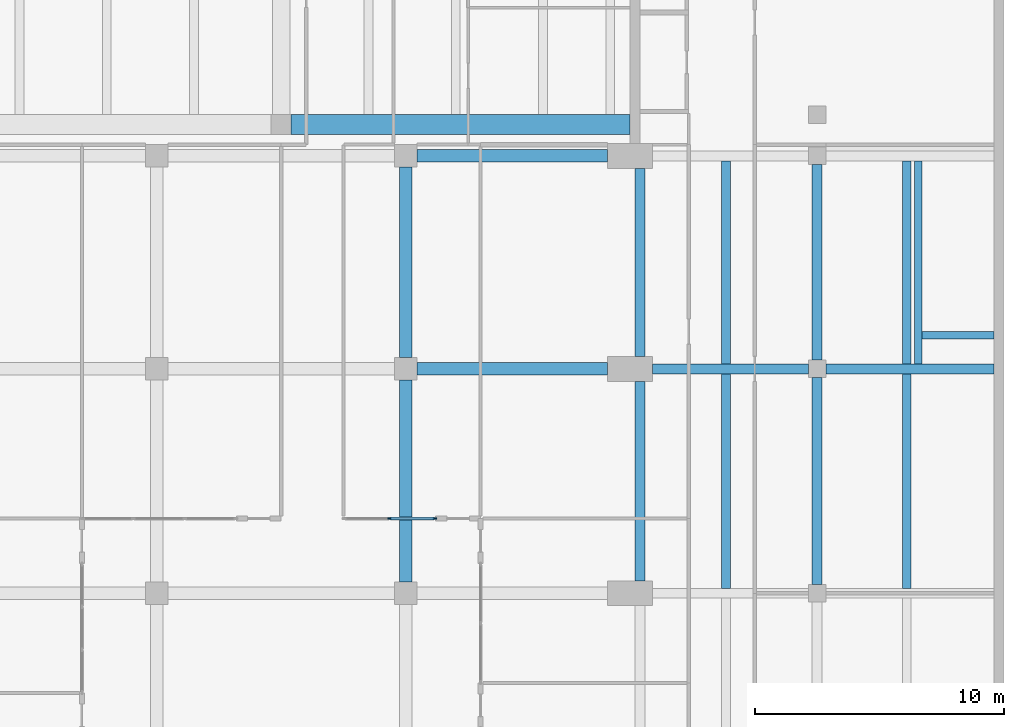
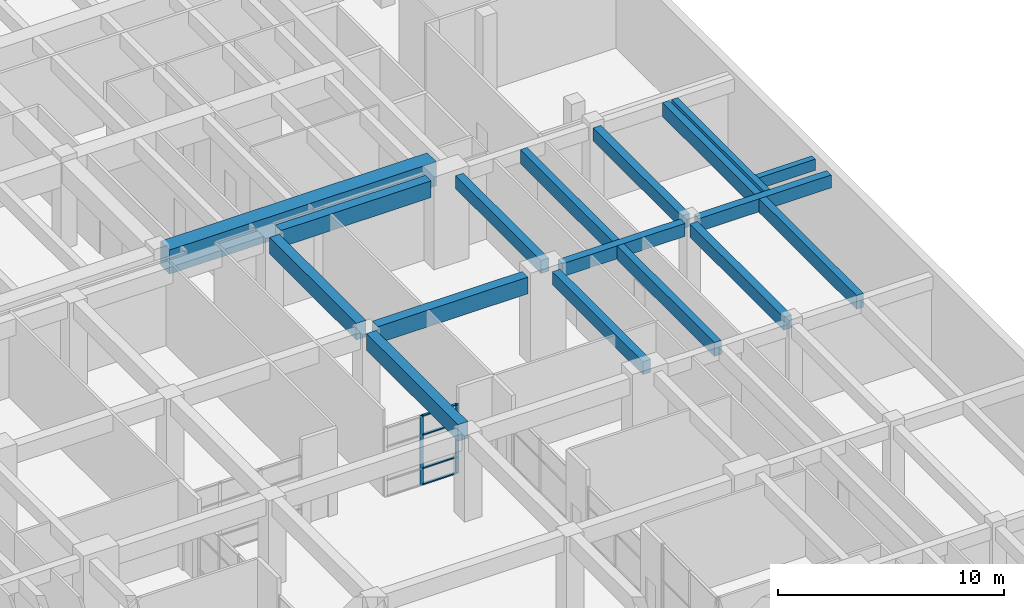
# One storey, part 13 of 29: 17 beams, 6 members, 1 element without a shape of its own.
"""IFC4 building model written with IfcOpenShell, lengths in metres."""

from ifc_helpers import new_model, si_unit, direction, frame, origin, origin_2d, place, context, subcontext, project, spatial, rectangle, extrude, material, material_profile, profile_set, type_object, element, aggregate, save


model = new_model("IFC4")

# Units and contexts
model_context = context("Model", 3, precision=1e-05, world=origin(), true_north=direction((0.0, 1.0)))
body_context = subcontext(model_context, "Body", "Model", "MODEL_VIEW")
ifc_project = project(units=[si_unit("LENGTHUNIT", "METRE"), si_unit("AREAUNIT", "SQUARE_METRE"), si_unit("VOLUMEUNIT", "CUBIC_METRE"), si_unit("PLANEANGLEUNIT", "RADIAN"), si_unit("MASSUNIT", "GRAM", prefix="KILO")], contexts=[model_context])

# Site, building, storey
site_placement = place(None, origin())
site = spatial("IfcSite", under=ifc_project, at=site_placement, CompositionType="ELEMENT")
building_placement = place(site_placement, origin())
building = spatial("IfcBuilding", under=site, at=building_placement, Name="Elmora Arch Market Hall", CompositionType="ELEMENT")
storey_placement = place(building_placement, frame((0.0, 0.0, -5.0)))
storey = spatial("IfcBuildingStorey", under=building, at=storey_placement, Name="LG", CompositionType="ELEMENT", Elevation=-5.0)

# Beams
ifc_material_1 = material(Name="Concrete C32/40", Category="concrete")
ifc_material_profile_1 = material_profile(ifc_material_1, rectangle(XDim=0.5, YDim=0.89990234375, at=origin_2d()), Name="Basement girder 500x900")
ifc_profile_set_1 = profile_set([ifc_material_profile_1], Name="Concrete C32/40")
beam_type_1 = type_object("IfcBeamType", Name="Basement girder 500x900", PredefinedType="BEAM", material=ifc_profile_set_1)
for number, where, z_axis, x_axis, name in (
    (1, (34.449951171875, 90.0, 4.199951171875), (1.0, 0.0, 0.0), (0.0, 1.0, 0.0), "Basement girder HR8 LG.3"),
    (2, (34.449951171875, 98.550048828125, 4.199951171875), (1.0, 0.0, 0.0), (0.0, 1.0, 0.0), "Basement girder HR9 LG.3"),
):
    element("IfcBeam", number, at=place(storey_placement, frame(where, z_axis=z_axis, x_axis=x_axis)), inside=storey, type_object=beam_type_1, Name=name, PredefinedType="BEAM", context=body_context, shape_type="SweptSolid", body=[
        extrude(rectangle(XDim=0.5, YDim=0.89990234375, at=origin_2d()), origin(), (0.0, 0.0, 1.0), 7.650146484375),
    ])
beam_1_placement = place(storey_placement, frame((34.0, 81.449951171875, 4.199951171875), z_axis=(0.0, 1.0, 0.0), x_axis=(-1.0, 0.0, 0.0)))
element("IfcBeam", 3, at=beam_1_placement, inside=storey, type_object=beam_type_1, Name="Basement girder HC2 LG.7", PredefinedType="BEAM", context=body_context, shape_type="SweptSolid", body=[
    extrude(rectangle(XDim=0.5, YDim=0.89990234375, at=origin_2d()), origin(), (0.0, 0.0, 1.0), 8.10009765625),
])
beam_2_placement = place(storey_placement, frame((34.0, 90.449951171875, 4.199951171875), z_axis=(0.0, 1.0, 0.0), x_axis=(-1.0, 0.0, 0.0)))
element("IfcBeam", 4, at=beam_2_placement, inside=storey, type_object=beam_type_1, Name="Basement girder HC2 LG.8", PredefinedType="BEAM", context=body_context, shape_type="SweptSolid", body=[
    extrude(rectangle(XDim=0.5, YDim=0.89990234375, at=origin_2d()), origin(), (0.0, 0.0, 1.0), 7.650146484375),
])
ifc_material_2 = material(Name="Concrete C32/40", Category="concrete")
ifc_material_profile_2 = material_profile(ifc_material_2, rectangle(XDim=0.800048828125, YDim=1.300048828125, at=origin_2d()), Name="Bridge girder 800x1300")
ifc_profile_set_2 = profile_set([ifc_material_profile_2], Name="Concrete C32/40")
beam_type_2 = type_object("IfcBeamType", Name="Bridge girder 800x1300", PredefinedType="BEAM", material=ifc_profile_set_2)
beam_3_placement = place(storey_placement, frame((29.39990234375, 99.800048828125, 4.050048828125), z_axis=(1.0, 0.0, 0.0), x_axis=(0.0, 1.0, 0.0)))
element("IfcBeam", 5, at=beam_3_placement, inside=storey, type_object=beam_type_2, Name="Bridge girder NR1 LG.2", PredefinedType="BEAM", context=body_context, shape_type="SweptSolid", body=[
    extrude(rectangle(XDim=0.800048828125, YDim=1.300048828125, at=origin_2d()), origin(), (0.0, 0.0, 1.0), 13.60009765625),
])

# Curtain wall, members
ifc_material_3 = material(Name="Aluminium", Category="aluminium")
curtain_wall_type = type_object("IfcCurtainWallType", Name="Lower ground shopfront curtain wall", PredefinedType="NOTDEFINED", material=ifc_material_3)
curtain_wall_placement = place(storey_placement, origin())
curtain_wall = element("IfcCurtainWall", 6, at=curtain_wall_placement, inside=storey, type_object=curtain_wall_type, Name="Lower ground shopfront N2", PredefinedType="NOTDEFINED")
ifc_material_4 = material(Name="Aluminium", Category="aluminium")
ifc_material_profile_3 = material_profile(ifc_material_4, rectangle(XDim=0.06005859375, YDim=0.159912109375, at=origin_2d()), Name="AL 60x160")
ifc_profile_set_3 = profile_set([ifc_material_profile_3], Name="Aluminium")
member_type_1 = type_object("IfcMemberType", Name="Mullion 60x160", PredefinedType="MULLION", material=ifc_profile_set_3)
member_1_placement = place(storey_placement, frame((33.35009765625, 84.0, 0.0), z_axis=(0.0, 0.0, 1.0), x_axis=(0.0, 1.0, 0.0)))
member_1 = element("IfcMember", 7, at=member_1_placement, type_object=member_type_1, Name="CW6 mullion 2", PredefinedType="MULLION", context=body_context, shape_type="SweptSolid", body=[
    extrude(rectangle(XDim=0.06005859375, YDim=0.159912109375, at=origin_2d()), origin(), (0.0, 0.0, 1.0), 3.75),
])
member_2_placement = place(storey_placement, frame((35.169921875, 84.0, 0.0), z_axis=(0.0, 0.0, 1.0), x_axis=(0.0, 1.0, 0.0)))
member_2 = element("IfcMember", 8, at=member_2_placement, type_object=member_type_1, Name="CW6 mullion 3", PredefinedType="MULLION", context=body_context, shape_type="SweptSolid", body=[
    extrude(rectangle(XDim=0.06005859375, YDim=0.159912109375, at=origin_2d()), origin(), (0.0, 0.0, 1.0), 3.75),
])
ifc_material_5 = material(Name="Aluminium", Category="aluminium")
ifc_material_profile_4 = material_profile(ifc_material_5, rectangle(XDim=0.1201171875, YDim=0.06005859375, at=origin_2d()), Name="AL 120x60")
ifc_profile_set_4 = profile_set([ifc_material_profile_4], Name="Aluminium")
member_type_2 = type_object("IfcMemberType", Name="Transom 120x60", PredefinedType="USERDEFINED", material=ifc_profile_set_4)
member_3_placement = place(storey_placement, frame((33.3798828125, 84.0, 0.030029296875), z_axis=(1.0, 0.0, 0.0), x_axis=(0.0, 1.0, 0.0)))
member_3 = element("IfcMember", 9, at=member_3_placement, type_object=member_type_2, Name="CW6 transom 2.1", ObjectType="TRANSOM", PredefinedType="USERDEFINED", context=body_context, shape_type="SweptSolid", body=[
    extrude(rectangle(XDim=0.1201171875, YDim=0.06005859375, at=origin_2d()), origin(), (0.0, 0.0, 1.0), 1.760009765625),
])
member_4_placement = place(storey_placement, frame((33.3798828125, 84.0, 0.89990234375), z_axis=(1.0, 0.0, 0.0), x_axis=(0.0, 1.0, 0.0)))
member_4 = element("IfcMember", 10, at=member_4_placement, type_object=member_type_2, Name="CW6 transom 2.2", ObjectType="TRANSOM", PredefinedType="USERDEFINED", context=body_context, shape_type="SweptSolid", body=[
    extrude(rectangle(XDim=0.1201171875, YDim=0.06005859375, at=origin_2d()), origin(), (0.0, 0.0, 1.0), 1.760009765625),
])
member_5_placement = place(storey_placement, frame((33.3798828125, 84.0, 2.699951171875), z_axis=(1.0, 0.0, 0.0), x_axis=(0.0, 1.0, 0.0)))
member_5 = element("IfcMember", 11, at=member_5_placement, type_object=member_type_2, Name="CW6 transom 2.3", ObjectType="TRANSOM", PredefinedType="USERDEFINED", context=body_context, shape_type="SweptSolid", body=[
    extrude(rectangle(XDim=0.1201171875, YDim=0.06005859375, at=origin_2d()), origin(), (0.0, 0.0, 1.0), 1.760009765625),
])
member_6_placement = place(storey_placement, frame((33.3798828125, 84.0, 3.719970703125), z_axis=(1.0, 0.0, 0.0), x_axis=(0.0, 1.0, 0.0)))
member_6 = element("IfcMember", 12, at=member_6_placement, type_object=member_type_2, Name="CW6 transom 2.4", ObjectType="TRANSOM", PredefinedType="USERDEFINED", context=body_context, shape_type="SweptSolid", body=[
    extrude(rectangle(XDim=0.1201171875, YDim=0.06005859375, at=origin_2d()), origin(), (0.0, 0.0, 1.0), 1.760009765625),
])
aggregate(curtain_wall, [member_1, member_2, member_3, member_4, member_5, member_6])

# Beams
ifc_material_6 = material(Name="Concrete C32/40", Category="concrete")
ifc_material_profile_5 = material_profile(ifc_material_6, rectangle(XDim=0.300048828125, YDim=0.60009765625, at=origin_2d()), Name="Wall carrier beam 300x600")
ifc_profile_set_5 = profile_set([ifc_material_profile_5], Name="Concrete C32/40")
beam_type_3 = type_object("IfcBeamType", Name="Wall carrier beam 300x600", PredefinedType="BEAM", material=ifc_profile_set_5)
beam_4_placement = place(storey_placement, frame((54.550048828125, 90.199951171875, 4.39990234375), z_axis=(0.0, 1.0, 0.0), x_axis=(-1.0, 0.0, 0.0)))
element("IfcBeam", 13, at=beam_4_placement, inside=storey, type_object=beam_type_3, Name="Wall carrier beam WC-ST-EN-W-L00 LG.1", PredefinedType="BEAM", context=body_context, shape_type="SweptSolid", body=[
    extrude(rectangle(XDim=0.300048828125, YDim=0.60009765625, at=origin_2d()), origin(), (0.0, 0.0, 1.0), 8.150146484375),
])
beam_5_placement = place(storey_placement, frame((54.699951171875, 91.35009765625, 4.39990234375), z_axis=(1.0, 0.0, 0.0), x_axis=(0.0, 1.0, 0.0)))
element("IfcBeam", 14, at=beam_5_placement, inside=storey, type_object=beam_type_3, Name="Wall carrier beam WC-ST-EN-S-L00 LG.1", PredefinedType="BEAM", context=body_context, shape_type="SweptSolid", body=[
    extrude(rectangle(XDim=0.300048828125, YDim=0.60009765625, at=origin_2d()), origin(), (0.0, 0.0, 1.0), 2.900146484375),
])
ifc_material_7 = material(Name="Concrete C32/40", Category="concrete")
ifc_material_profile_6 = material_profile(ifc_material_7, rectangle(XDim=0.39990234375, YDim=0.699951171875, at=origin_2d()), Name="Wing beam 400x700")
ifc_profile_set_6 = profile_set([ifc_material_profile_6], Name="Concrete C32/40")
beam_type_4 = type_object("IfcBeamType", Name="Wing beam 400x700", PredefinedType="BEAM", material=ifc_profile_set_6)
beam_6_placement = place(storey_placement, frame((43.89990234375, 90.0, 4.35009765625), z_axis=(1.0, 0.0, 0.0), x_axis=(0.0, 1.0, 0.0)))
element("IfcBeam", 15, at=beam_6_placement, inside=storey, type_object=beam_type_4, Name="Wing beam ER8 LG.1", PredefinedType="BEAM", context=body_context, shape_type="SweptSolid", body=[
    extrude(rectangle(XDim=0.39990234375, YDim=0.699951171875, at=origin_2d()), origin(), (0.0, 0.0, 1.0), 6.25),
])
beam_7_placement = place(storey_placement, frame((50.85009765625, 90.0, 4.35009765625), z_axis=(1.0, 0.0, 0.0), x_axis=(0.0, 1.0, 0.0)))
element("IfcBeam", 16, at=beam_7_placement, inside=storey, type_object=beam_type_4, Name="Wing beam ER8 LG.2", PredefinedType="BEAM", context=body_context, shape_type="SweptSolid", body=[
    extrude(rectangle(XDim=0.39990234375, YDim=0.699951171875, at=origin_2d()), origin(), (0.0, 0.0, 1.0), 6.75),
])
beam_8_placement = place(storey_placement, frame((50.5, 81.35009765625, 4.35009765625), z_axis=(0.0, 1.0, 0.0), x_axis=(-1.0, 0.0, 0.0)))
element("IfcBeam", 17, at=beam_8_placement, inside=storey, type_object=beam_type_4, Name="Wing beam EG LG.7", PredefinedType="BEAM", context=body_context, shape_type="SweptSolid", body=[
    extrude(rectangle(XDim=0.39990234375, YDim=0.699951171875, at=origin_2d()), origin(), (0.0, 0.0, 1.0), 8.2998046875),
])
beam_9_placement = place(storey_placement, frame((50.5, 90.35009765625, 4.35009765625), z_axis=(0.0, 1.0, 0.0), x_axis=(-1.0, 0.0, 0.0)))
element("IfcBeam", 18, at=beam_9_placement, inside=storey, type_object=beam_type_4, Name="Wing beam EG LG.8", PredefinedType="BEAM", context=body_context, shape_type="SweptSolid", body=[
    extrude(rectangle(XDim=0.39990234375, YDim=0.699951171875, at=origin_2d()), origin(), (0.0, 0.0, 1.0), 7.849853515625),
])
beam_10_placement = place(storey_placement, frame((43.39990234375, 81.5, 4.35009765625), z_axis=(0.0, 1.0, 0.0), x_axis=(-1.0, 0.0, 0.0)))
element("IfcBeam", 19, at=beam_10_placement, inside=storey, type_object=beam_type_4, Name="Wing beam EEB LG.7", PredefinedType="BEAM", context=body_context, shape_type="SweptSolid", body=[
    extrude(rectangle(XDim=0.39990234375, YDim=0.699951171875, at=origin_2d()), origin(), (0.0, 0.0, 1.0), 8.0),
])
beam_11_placement = place(storey_placement, frame((43.39990234375, 90.5, 4.35009765625), z_axis=(0.0, 1.0, 0.0), x_axis=(-1.0, 0.0, 0.0)))
element("IfcBeam", 20, at=beam_11_placement, inside=storey, type_object=beam_type_4, Name="Wing beam EEB LG.8", PredefinedType="BEAM", context=body_context, shape_type="SweptSolid", body=[
    extrude(rectangle(XDim=0.39990234375, YDim=0.699951171875, at=origin_2d()), origin(), (0.0, 0.0, 1.0), 7.550048828125),
])
ifc_material_8 = material(Name="Concrete C32/40", Category="concrete")
ifc_material_profile_7 = material_profile(ifc_material_8, rectangle(XDim=0.35009765625, YDim=0.75, at=origin_2d()), Name="Wing joist 350x750")
ifc_profile_set_7 = profile_set([ifc_material_profile_7], Name="Concrete C32/40")
beam_type_5 = type_object("IfcBeamType", Name="Wing joist 350x750", PredefinedType="JOIST", material=ifc_profile_set_7)
beam_12_placement = place(storey_placement, frame((46.85009765625, 81.199951171875, 4.324951171875), z_axis=(0.0, 1.0, 0.0), x_axis=(-1.0, 0.0, 0.0)))
element("IfcBeam", 21, at=beam_12_placement, inside=storey, type_object=beam_type_5, Name="Wing joist EJ1 LG.7", PredefinedType="JOIST", context=body_context, shape_type="SweptSolid", body=[
    extrude(rectangle(XDim=0.35009765625, YDim=0.75, at=origin_2d()), origin(), (0.0, 0.0, 1.0), 8.60009765625),
])
beam_13_placement = place(storey_placement, frame((46.85009765625, 90.199951171875, 4.324951171875), z_axis=(0.0, 1.0, 0.0), x_axis=(-1.0, 0.0, 0.0)))
element("IfcBeam", 22, at=beam_13_placement, inside=storey, type_object=beam_type_5, Name="Wing joist EJ1 LG.8", PredefinedType="JOIST", context=body_context, shape_type="SweptSolid", body=[
    extrude(rectangle(XDim=0.35009765625, YDim=0.75, at=origin_2d()), origin(), (0.0, 0.0, 1.0), 8.150146484375),
])
beam_14_placement = place(storey_placement, frame((54.10009765625, 81.199951171875, 4.324951171875), z_axis=(0.0, 1.0, 0.0), x_axis=(-1.0, 0.0, 0.0)))
element("IfcBeam", 23, at=beam_14_placement, inside=storey, type_object=beam_type_5, Name="Wing joist EJ2 LG.7", PredefinedType="JOIST", context=body_context, shape_type="SweptSolid", body=[
    extrude(rectangle(XDim=0.35009765625, YDim=0.75, at=origin_2d()), origin(), (0.0, 0.0, 1.0), 8.60009765625),
])
beam_15_placement = place(storey_placement, frame((54.10009765625, 90.199951171875, 4.324951171875), z_axis=(0.0, 1.0, 0.0), x_axis=(-1.0, 0.0, 0.0)))
element("IfcBeam", 24, at=beam_15_placement, inside=storey, type_object=beam_type_5, Name="Wing joist EJ2 LG.8", PredefinedType="JOIST", context=body_context, shape_type="SweptSolid", body=[
    extrude(rectangle(XDim=0.35009765625, YDim=0.75, at=origin_2d()), origin(), (0.0, 0.0, 1.0), 8.150146484375),
])

save(model, "model.ifc")
